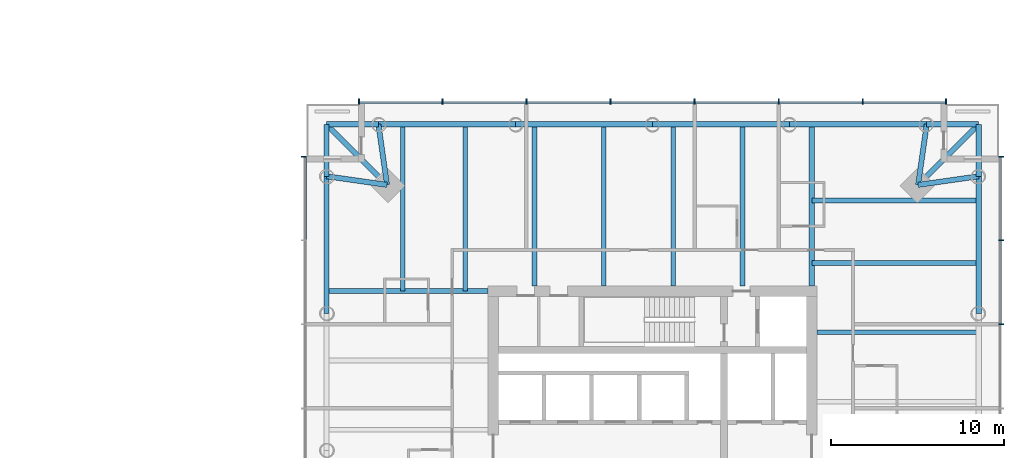
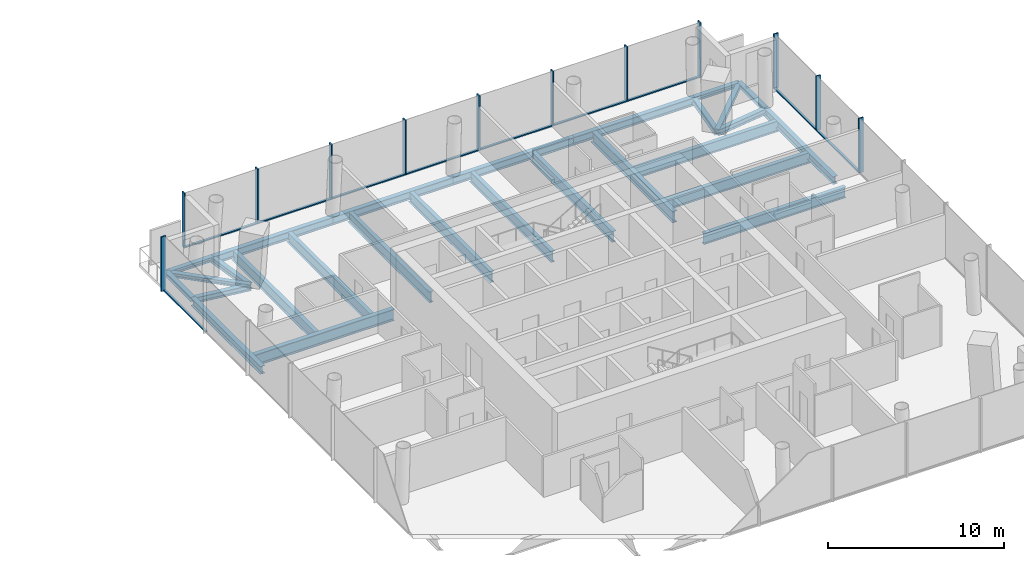
# One storey, part 6 of 19: 27 beams, 22 members, 3 elements without a shape of their own.
"""IFC4 building model written with IfcOpenShell, lengths in metres."""

import ifcopenshell
import ifcopenshell.guid

model = None  # the IFC model being written
_history = None  # IfcOwnerHistory: only IFC2X3 demands one
_inside = {}  # id of a spatial element -> (the spatial element, [elements in it])
_under = {}  # id of a project, library or spatial element -> (it, [spatial elements below it])
_declared = {}  # id of a project -> (the project, [libraries it declares])
_typed = {}  # id of a type object -> (the type object, [elements of that type])
_made_of = {}  # id of a material, layer set ... -> (it, [elements and type objects made of it])


def new_model(schema):
    """Start an empty IFC model of exactly this schema.

    Asked for "IFC4X3", IfcOpenShell would pick the latest addendum, in which some entities
    have other attributes; the version numbers below select the first issue.
    IFC2X3 requires an IfcOwnerHistory on every rooted entity: one is made here for all.
    """
    global model, _history
    if schema == "IFC4X3":
        model = ifcopenshell.file(schema_version=(4, 3, 0, 0))
    else:
        model = ifcopenshell.file(schema=schema)
    _inside.clear()
    _under.clear()
    _declared.clear()
    _typed.clear()
    _made_of.clear()
    _history = None
    if model.schema == "IFC2X3":
        org = make("IfcOrganization", Name="unknown")
        user = make(
            "IfcPersonAndOrganization",
            ThePerson=make("IfcPerson", FamilyName="unknown"),
            TheOrganization=org,
        )
        app = make(
            "IfcApplication",
            ApplicationDeveloper=org,
            Version="unknown",
            ApplicationFullName="unknown",
            ApplicationIdentifier="unknown",
        )
        _history = make(
            "IfcOwnerHistory",
            OwningUser=user,
            OwningApplication=app,
            ChangeAction="ADDED",
            CreationDate=0,
        )
    return model


def make(cls, **values):
    """One entity of the class cls with the attributes given. An attribute that is None is left unset."""
    return model.create_entity(
        cls, **{name: value for name, value in values.items() if value is not None}
    )


def rooted(cls, **values):
    """An entity with a GlobalId (a new one), such as an element, a storey or a relation."""
    return make(cls, GlobalId=ifcopenshell.guid.new(), OwnerHistory=_history, **values)


def si_unit(unit_type, name, prefix=None):
    """IfcSIUnit, for example si_unit("LENGTHUNIT", "METRE", prefix="MILLI")."""
    return make("IfcSIUnit", UnitType=unit_type, Prefix=prefix, Name=name)


def assignment(units):
    """IfcUnitAssignment: the units of a project."""
    return None if units is None else make("IfcUnitAssignment", Units=units)


def point(xyz):
    """IfcCartesianPoint."""
    return None if xyz is None else make("IfcCartesianPoint", Coordinates=xyz)


def direction(xyz):
    """IfcDirection."""
    return None if xyz is None else make("IfcDirection", DirectionRatios=xyz)


def frame(location, z_axis=None, x_axis=None):
    """IfcAxis2Placement3D, a coordinate frame: its origin and axes. An axis left out is left unset."""
    return make(
        "IfcAxis2Placement3D",
        Location=point(location),
        Axis=direction(z_axis),
        RefDirection=direction(x_axis),
    )


def frame_2d(location, x_axis=None):
    """IfcAxis2Placement2D, a coordinate frame in the plane: its origin and x axis."""
    return make(
        "IfcAxis2Placement2D", Location=point(location), RefDirection=direction(x_axis)
    )


def origin():
    """The frame at (0, 0, 0) with its axes left unset."""
    return frame((0.0, 0.0, 0.0))


def origin_2d():
    """The frame at (0, 0) in the plane with its x axis left unset."""
    return frame_2d((0.0, 0.0))


def place(relative_to, where):
    """IfcLocalPlacement: puts the frame where relative to a parent placement (None: the world)."""
    return make(
        "IfcLocalPlacement", PlacementRelTo=relative_to, RelativePlacement=where
    )


def context(
    kind, dimensions, precision=None, world=None, true_north=None, identifier=None
):
    """IfcGeometricRepresentationContext, for example the 3D "Model" context."""
    return make(
        "IfcGeometricRepresentationContext",
        ContextIdentifier=identifier,
        ContextType=kind,
        CoordinateSpaceDimension=dimensions,
        Precision=precision,
        WorldCoordinateSystem=world,
        TrueNorth=true_north,
    )


def subcontext(parent, identifier, kind, view, scale=None):
    """IfcGeometricRepresentationSubContext, for example "Body" below "Model"."""
    return make(
        "IfcGeometricRepresentationSubContext",
        ContextIdentifier=identifier,
        ContextType=kind,
        ParentContext=parent,
        TargetScale=scale,
        TargetView=view,
    )


def project(units=None, contexts=None):
    """IfcProject with its units and contexts."""
    return rooted(
        "IfcProject",
        Name="project",
        RepresentationContexts=contexts,
        UnitsInContext=assignment(units),
    )


def spatial(cls, under=None, at=None, **own):
    """A site, building, storey or space (cls), placed at a placement, below another one or the project."""
    s = rooted(cls, ObjectPlacement=at, **own)
    if under is not None:
        _under.setdefault(under.id(), (under, []))[1].append(s)
    return s


def profile(cls, at=None, kind="AREA", **sizes):
    """A parametric profile (cls). Its sizes go by their IFC names, for example OverallWidth=200.0."""
    return make(cls, ProfileType=kind, Position=at, **sizes)


def rectangle(**sizes):
    """IfcRectangleProfileDef."""
    return profile("IfcRectangleProfileDef", **sizes)


def i_section(**sizes):
    """IfcIShapeProfileDef."""
    return profile("IfcIShapeProfileDef", **sizes)


def extrude(swept, where, along, depth):
    """IfcExtrudedAreaSolid: the profile swept, set in the frame where, extruded along a direction by depth."""
    return make(
        "IfcExtrudedAreaSolid",
        SweptArea=swept,
        Position=where,
        ExtrudedDirection=direction(along),
        Depth=depth,
    )


def shape(context_of_items, identifier, shape_type, items):
    """IfcShapeRepresentation: the items that make up one representation, for example the "Body"."""
    return make(
        "IfcShapeRepresentation",
        ContextOfItems=context_of_items,
        RepresentationIdentifier=identifier,
        RepresentationType=shape_type,
        Items=items,
    )


def material(Name=None, Category=None):
    """IfcMaterial."""
    return make("IfcMaterial", Name=Name, Category=Category)


def material_profile(
    of_material, cross_section, Name=None, Category=None, Priority=None
):
    """IfcMaterialProfile: a cross section and its material."""
    return make(
        "IfcMaterialProfile",
        Name=Name,
        Material=of_material,
        Profile=cross_section,
        Priority=Priority,
        Category=Category,
    )


def profile_set(profiles, Name=None, composite=None):
    """IfcMaterialProfileSet."""
    return make(
        "IfcMaterialProfileSet",
        Name=Name,
        MaterialProfiles=profiles,
        CompositeProfile=composite,
    )


def made_of(thing, what):
    """Note that an element or type object is made of a material, layer set ...; save() writes the relation."""
    if what is not None:
        _made_of.setdefault(what.id(), (what, []))[1].append(thing)
    return thing


def type_object(cls, material=None, **own):
    """A type object (cls), such as IfcWallType, which elements share."""
    return made_of(rooted(cls, **own), material)


def element(
    cls,
    number,
    at=None,
    inside=None,
    cuts=None,
    type_object=None,
    material=None,
    context=None,
    identifier="Body",
    shape_type=None,
    held_by="IfcProductDefinitionShape",
    body=None,
    shapes=None,
    **own,
):
    """One element of the class cls, such as IfcWall. Its Tag is "e" and its number.

    at: its placement. inside: the storey or other place that contains it. cuts: it is an
    opening in that element (IfcRelVoidsElement). A single representation is given by context,
    identifier, shape_type and body (its items); several are given by shapes. held_by: the class
    of the entity that holds the representations. save() writes the other relations.
    """
    e = rooted(cls, Tag="e%d" % number, ObjectPlacement=at, **own)
    if body is not None:
        shapes = [shape(context, identifier, shape_type, body)]
    if shapes is not None:
        e.Representation = make(held_by, Representations=shapes)
    if inside is not None:
        _inside.setdefault(inside.id(), (inside, []))[1].append(e)
    if cuts is not None:
        rooted(
            "IfcRelVoidsElement", RelatingBuildingElement=cuts, RelatedOpeningElement=e
        )
    if type_object is not None:
        _typed.setdefault(type_object.id(), (type_object, []))[1].append(e)
    return made_of(e, material)


def aggregate(whole, parts):
    """IfcRelAggregates: a whole, such as a stair, and the parts it consists of."""
    return rooted("IfcRelAggregates", RelatingObject=whole, RelatedObjects=parts)


def save(model, path):
    """Write the relations noted so far, then the file.

    IfcRelAggregates (storeys below a building ...), IfcRelContainedInSpatialStructure (elements
    in a storey), IfcRelDefinesByType, IfcRelAssociatesMaterial and IfcRelDeclares: one each for
    every whole, place, type object, material and project.
    """
    for whole, parts in _under.values():
        aggregate(whole, parts)
    for where, things in _inside.values():
        rooted(
            "IfcRelContainedInSpatialStructure",
            RelatedElements=things,
            RelatingStructure=where,
        )
    for kind, things in _typed.values():
        rooted("IfcRelDefinesByType", RelatedObjects=things, RelatingType=kind)
    for what, things in _made_of.values():
        rooted("IfcRelAssociatesMaterial", RelatedObjects=things, RelatingMaterial=what)
    for by, libraries in _declared.values():
        rooted("IfcRelDeclares", RelatingContext=by, RelatedDefinitions=libraries)
    model.write(path)


model = new_model("IFC4")

# Units and contexts
model_context = context("Model", 3, precision=1e-05, world=origin(), true_north=direction((0.0, 1.0)))
body_context = subcontext(model_context, "Body", "Model", "MODEL_VIEW")
ifc_project = project(units=[si_unit("LENGTHUNIT", "METRE"), si_unit("AREAUNIT", "SQUARE_METRE"), si_unit("VOLUMEUNIT", "CUBIC_METRE"), si_unit("PLANEANGLEUNIT", "RADIAN"), si_unit("MASSUNIT", "GRAM", prefix="KILO")], contexts=[model_context])

# Site, building, storey
site_placement = place(None, origin())
site = spatial("IfcSite", under=ifc_project, at=site_placement, CompositionType="ELEMENT")
building_placement = place(site_placement, origin())
building = spatial("IfcBuilding", under=site, at=building_placement, Name="Ostroluk Exchange", CompositionType="ELEMENT")
storey_placement = place(building_placement, frame((0.0, 0.0, 24.800048828125)))
storey = spatial("IfcBuildingStorey", under=building, at=storey_placement, Name="L05", CompositionType="ELEMENT", Elevation=24.800048828125)

# Beams
ifc_material_1 = material(Name="Steel S355", Category="steel")
ifc_material_profile_1 = material_profile(ifc_material_1, i_section(OverallWidth=0.300048828125, OverallDepth=0.300048828125, WebThickness=0.010986328125, FlangeThickness=0.01904296875, FilletRadius=0.027099609375, at=origin_2d()), Name="HEB 300")
ifc_profile_set_1 = profile_set([ifc_material_profile_1], Name="Steel S355")
beam_type_1 = type_object("IfcBeamType", Name="Balcony beam HEB 300", PredefinedType="BEAM", material=ifc_profile_set_1)
for number, where, z_axis, x_axis, name in (
    (1, (135.836181640625, 61.836181640625, -0.35009765625), (0.0, 1.0, 0.0), (-1.0, 0.0, 0.0), "T2 east balcony beam a"),
    (2, (132.836181640625, 64.836181640625, -0.35009765625), (1.0, 0.0, 0.0), (0.0, 1.0, 0.0), "T2 east balcony beam b"),
):
    element("IfcBeam", number, at=place(storey_placement, frame(where, z_axis=z_axis, x_axis=x_axis)), inside=storey, type_object=beam_type_1, Name=name, PredefinedType="BEAM", context=body_context, shape_type="SweptSolid", body=[
        extrude(i_section(OverallWidth=0.300048828125, OverallDepth=0.300048828125, WebThickness=0.010986328125, FlangeThickness=0.01904296875, FilletRadius=0.027099609375, at=origin_2d()), origin(), (0.0, 0.0, 1.0), 3.0),
    ])
beam_1_placement = place(storey_placement, frame((132.336181640625, 61.336181640625, -0.35009765625), z_axis=(0.707106781187, 0.707106781187, 0.0), x_axis=(-0.707106781187, 0.707106781187, 0.0)))
element("IfcBeam", 3, at=beam_1_placement, inside=storey, type_object=beam_type_1, Name="T2 east balcony beam c", PredefinedType="BEAM", context=body_context, shape_type="SweptSolid", body=[
    extrude(i_section(OverallWidth=0.300048828125, OverallDepth=0.300048828125, WebThickness=0.010986328125, FlangeThickness=0.01904296875, FilletRadius=0.027099609375, at=origin_2d()), origin(), (0.0, 0.0, 1.0), 4.94970703125),
])
for number, where, z_axis, x_axis, name in (
    (4, (101.163818359375, 64.836181640625, -0.35009765625), (-1.0, 0.0, 0.0), (0.0, -1.0, 0.0), "T2 north balcony beam a"),
    (5, (98.163818359375, 61.836181640625, -0.35009765625), (0.0, 1.0, 0.0), (-1.0, 0.0, 0.0), "T2 north balcony beam b"),
):
    element("IfcBeam", number, at=place(storey_placement, frame(where, z_axis=z_axis, x_axis=x_axis)), inside=storey, type_object=beam_type_1, Name=name, PredefinedType="BEAM", context=body_context, shape_type="SweptSolid", body=[
        extrude(i_section(OverallWidth=0.300048828125, OverallDepth=0.300048828125, WebThickness=0.010986328125, FlangeThickness=0.01904296875, FilletRadius=0.027099609375, at=origin_2d()), origin(), (0.0, 0.0, 1.0), 3.0),
    ])
beam_2_placement = place(storey_placement, frame((101.663818359375, 61.336181640625, -0.35009765625), z_axis=(-0.707106781187, 0.707106781187, 0.0), x_axis=(-0.707106781187, -0.707106781187, 0.0)))
element("IfcBeam", 6, at=beam_2_placement, inside=storey, type_object=beam_type_1, Name="T2 north balcony beam c", PredefinedType="BEAM", context=body_context, shape_type="SweptSolid", body=[
    extrude(i_section(OverallWidth=0.300048828125, OverallDepth=0.300048828125, WebThickness=0.010986328125, FlangeThickness=0.01904296875, FilletRadius=0.027099609375, at=origin_2d()), origin(), (0.0, 0.0, 1.0), 4.94970703125),
])
ifc_material_2 = material(Name="Steel S355", Category="steel")
ifc_material_profile_2 = material_profile(ifc_material_2, i_section(OverallWidth=0.300048828125, OverallDepth=0.39990234375, WebThickness=0.013427734375, FlangeThickness=0.02392578125, FilletRadius=0.027099609375, at=origin_2d()), Name="HEB 400")
ifc_profile_set_2 = profile_set([ifc_material_profile_2], Name="Steel S355")
beam_type_2 = type_object("IfcBeamType", Name="Corner edge beam HEB 400", PredefinedType="SPANDREL", material=ifc_profile_set_2)
for number, where, z_axis, x_axis, name in (
    (7, (132.336181640625, 61.336181640625, -0.400146484375), (0.989949493661, 0.141421356237, 0.0), (-0.141421356237, 0.989949493661, 0.0), "T2 east corner edge beam a"),
    (8, (132.336181640625, 61.336181640625, -0.400146484375), (0.141421356237, 0.989949493661, 0.0), (-0.989949493661, 0.141421356237, 0.0), "T2 east corner edge beam b"),
    (9, (101.663818359375, 61.336181640625, -0.400146484375), (-0.141421356237, 0.989949493661, 0.0), (-0.989949493661, -0.141421356237, 0.0), "T2 north corner edge beam a"),
    (10, (101.663818359375, 61.336181640625, -0.400146484375), (-0.989949493661, 0.141421356237, 0.0), (-0.141421356237, -0.989949493661, 0.0), "T2 north corner edge beam b"),
):
    element("IfcBeam", number, at=place(storey_placement, frame(where, z_axis=z_axis, x_axis=x_axis)), inside=storey, type_object=beam_type_2, Name=name, PredefinedType="SPANDREL", context=body_context, shape_type="SweptSolid", body=[
        extrude(i_section(OverallWidth=0.300048828125, OverallDepth=0.39990234375, WebThickness=0.013427734375, FlangeThickness=0.02392578125, FilletRadius=0.027099609375, at=origin_2d()), origin(), (0.0, 0.0, 1.0), 3.53564453125),
    ])
ifc_material_3 = material(Name="Steel S355", Category="steel")
ifc_material_profile_3 = material_profile(ifc_material_3, i_section(OverallWidth=0.264892578125, OverallDepth=0.7529296875, WebThickness=0.01318359375, FlangeThickness=0.01708984375, FilletRadius=0.01708984375, at=origin_2d()), Name="IPE 750x147")
ifc_profile_set_3 = profile_set([ifc_material_profile_3], Name="Steel S355")
beam_type_3 = type_object("IfcBeamType", Name="Floor beam IPE 750x147", PredefinedType="BEAM", material=ifc_profile_set_3)
beam_3_placement = place(storey_placement, frame((126.5, 52.82080078125, -0.57666015625), z_axis=(1.0, 0.0, 0.0), x_axis=(0.0, 1.0, 0.0)))
element("IfcBeam", 11, at=beam_3_placement, inside=storey, type_object=beam_type_3, Name="T2 east floor beam 4", PredefinedType="BEAM", context=body_context, shape_type="SweptSolid", body=[
    extrude(i_section(OverallWidth=0.264892578125, OverallDepth=0.7529296875, WebThickness=0.01318359375, FlangeThickness=0.01708984375, FilletRadius=0.01708984375, at=origin_2d()), origin(), (0.0, 0.0, 1.0), 9.336181640625),
])
for number, where, z_axis, x_axis, name in (
    (12, (126.199951171875, 56.825927734375, -0.57666015625), (1.0, 0.0, 0.0), (0.0, 1.0, 0.0), "T2 east floor beam 5"),
    (13, (126.199951171875, 60.436279296875, -0.57666015625), (1.0, 0.0, 0.0), (0.0, 1.0, 0.0), "T2 east floor beam 6"),
):
    element("IfcBeam", number, at=place(storey_placement, frame(where, z_axis=z_axis, x_axis=x_axis)), inside=storey, type_object=beam_type_3, Name=name, PredefinedType="BEAM", context=body_context, shape_type="SweptSolid", body=[
        extrude(i_section(OverallWidth=0.264892578125, OverallDepth=0.7529296875, WebThickness=0.01318359375, FlangeThickness=0.01708984375, FilletRadius=0.01708984375, at=origin_2d()), origin(), (0.0, 0.0, 1.0), 9.63623046875),
    ])
for number, where, z_axis, x_axis, name in (
    (14, (122.19482421875, 55.5, -0.57666015625), (0.0, 1.0, 0.0), (-1.0, 0.0, 0.0), "T2 north floor beam 1"),
    (15, (118.189697265625, 55.5, -0.57666015625), (0.0, 1.0, 0.0), (-1.0, 0.0, 0.0), "T2 north floor beam 2"),
    (16, (114.1845703125, 55.5, -0.57666015625), (0.0, 1.0, 0.0), (-1.0, 0.0, 0.0), "T2 north floor beam 3"),
    (17, (110.17919921875, 55.5, -0.57666015625), (0.0, 1.0, 0.0), (-1.0, 0.0, 0.0), "T2 north floor beam 4"),
):
    element("IfcBeam", number, at=place(storey_placement, frame(where, z_axis=z_axis, x_axis=x_axis)), inside=storey, type_object=beam_type_3, Name=name, PredefinedType="BEAM", context=body_context, shape_type="SweptSolid", body=[
        extrude(i_section(OverallWidth=0.264892578125, OverallDepth=0.7529296875, WebThickness=0.01318359375, FlangeThickness=0.01708984375, FilletRadius=0.01708984375, at=origin_2d()), origin(), (0.0, 0.0, 1.0), 9.336181640625),
    ])
for number, where, z_axis, x_axis, name in (
    (18, (106.174072265625, 55.199951171875, -0.57666015625), (0.0, 1.0, 0.0), (-1.0, 0.0, 0.0), "T2 north floor beam 5"),
    (19, (102.563720703125, 55.199951171875, -0.57666015625), (0.0, 1.0, 0.0), (-1.0, 0.0, 0.0), "T2 north floor beam 6"),
):
    element("IfcBeam", number, at=place(storey_placement, frame(where, z_axis=z_axis, x_axis=x_axis)), inside=storey, type_object=beam_type_3, Name=name, PredefinedType="BEAM", context=body_context, shape_type="SweptSolid", body=[
        extrude(i_section(OverallWidth=0.264892578125, OverallDepth=0.7529296875, WebThickness=0.01318359375, FlangeThickness=0.01708984375, FilletRadius=0.01708984375, at=origin_2d()), origin(), (0.0, 0.0, 1.0), 9.63623046875),
    ])
ifc_material_4 = material(Name="Steel S355", Category="steel")
ifc_material_profile_4 = material_profile(ifc_material_4, i_section(OverallWidth=0.300048828125, OverallDepth=0.800048828125, WebThickness=0.017578125, FlangeThickness=0.032958984375, FilletRadius=0.030029296875, at=origin_2d()), Name="HEB 800")
ifc_profile_set_4 = profile_set([ifc_material_profile_4], Name="Steel S355")
beam_type_4 = type_object("IfcBeamType", Name="Girder HEB 800", PredefinedType="BEAM", material=ifc_profile_set_4)
for number, where, z_axis, x_axis, name in (
    (20, (126.199951171875, 55.5, -0.60009765625), (0.0, 1.0, 0.0), (-1.0, 0.0, 0.0), "T2 east girder"),
    (21, (107.5, 55.199951171875, -0.60009765625), (-1.0, 0.0, 0.0), (0.0, -1.0, 0.0), "T2 north girder"),
):
    element("IfcBeam", number, at=place(storey_placement, frame(where, z_axis=z_axis, x_axis=x_axis)), inside=storey, type_object=beam_type_4, Name=name, PredefinedType="BEAM", context=body_context, shape_type="SweptSolid", body=[
        extrude(i_section(OverallWidth=0.300048828125, OverallDepth=0.800048828125, WebThickness=0.017578125, FlangeThickness=0.032958984375, FilletRadius=0.030029296875, at=origin_2d()), origin(), (0.0, 0.0, 1.0), 9.336181640625),
    ])
ifc_material_5 = material(Name="Steel S355", Category="steel")
ifc_material_profile_5 = material_profile(ifc_material_5, i_section(OverallWidth=0.300048828125, OverallDepth=0.550048828125, WebThickness=0.014892578125, FlangeThickness=0.029052734375, FilletRadius=0.027099609375, at=origin_2d()), Name="HEB 550")
ifc_profile_set_5 = profile_set([ifc_material_profile_5], Name="Steel S355")
beam_type_5 = type_object("IfcBeamType", Name="Moment-connected edge beam HEB 550", PredefinedType="SPANDREL", material=ifc_profile_set_5)
for number, where, z_axis, x_axis, name in (
    (22, (135.836181640625, 53.918212890625, -0.47509765625), (0.0, 1.0, 0.0), (-1.0, 0.0, 0.0), "T2 east edge beam 4"),
    (23, (132.836181640625, 64.836181640625, -0.47509765625), (-1.0, 0.0, 0.0), (0.0, -1.0, 0.0), "T2 north edge beam 1"),
):
    element("IfcBeam", number, at=place(storey_placement, frame(where, z_axis=z_axis, x_axis=x_axis)), inside=storey, type_object=beam_type_5, Name=name, PredefinedType="SPANDREL", context=body_context, shape_type="SweptSolid", body=[
        extrude(i_section(OverallWidth=0.300048828125, OverallDepth=0.550048828125, WebThickness=0.014892578125, FlangeThickness=0.029052734375, FilletRadius=0.027099609375, at=origin_2d()), origin(), (0.0, 0.0, 1.0), 7.91796875),
    ])
for number, where, z_axis, x_axis, name in (
    (24, (124.918212890625, 64.836181640625, -0.47509765625), (-1.0, 0.0, 0.0), (0.0, -1.0, 0.0), "T2 north edge beam 2"),
    (25, (117.0, 64.836181640625, -0.47509765625), (-1.0, 0.0, 0.0), (0.0, -1.0, 0.0), "T2 north edge beam 3"),
):
    element("IfcBeam", number, at=place(storey_placement, frame(where, z_axis=z_axis, x_axis=x_axis)), inside=storey, type_object=beam_type_5, Name=name, PredefinedType="SPANDREL", context=body_context, shape_type="SweptSolid", body=[
        extrude(i_section(OverallWidth=0.300048828125, OverallDepth=0.550048828125, WebThickness=0.014892578125, FlangeThickness=0.029052734375, FilletRadius=0.027099609375, at=origin_2d()), origin(), (0.0, 0.0, 1.0), 7.918212890625),
    ])
for number, where, z_axis, x_axis, name in (
    (26, (109.081787109375, 64.836181640625, -0.47509765625), (-1.0, 0.0, 0.0), (0.0, -1.0, 0.0), "T2 north edge beam 4"),
    (27, (98.163818359375, 61.836181640625, -0.47509765625), (0.0, -1.0, 0.0), (1.0, 0.0, 0.0), "T2 west edge beam 1"),
):
    element("IfcBeam", number, at=place(storey_placement, frame(where, z_axis=z_axis, x_axis=x_axis)), inside=storey, type_object=beam_type_5, Name=name, PredefinedType="SPANDREL", context=body_context, shape_type="SweptSolid", body=[
        extrude(i_section(OverallWidth=0.300048828125, OverallDepth=0.550048828125, WebThickness=0.014892578125, FlangeThickness=0.029052734375, FilletRadius=0.027099609375, at=origin_2d()), origin(), (0.0, 0.0, 1.0), 7.91796875),
    ])

# Curtain wall, members
ifc_material_6 = material(Name="Laminated clear glass", Category="glass")
curtain_wall_type = type_object("IfcCurtainWallType", Name="Hotel guest floor facade", PredefinedType="USERDEFINED", material=ifc_material_6)
curtain_wall_1_placement = place(storey_placement, origin())
curtain_wall_1 = element("IfcCurtainWall", 28, at=curtain_wall_1_placement, inside=storey, type_object=curtain_wall_type, Name="Hotel tower east facade L05", ObjectType="UNITISED CURTAIN WALL", PredefinedType="USERDEFINED")
ifc_material_7 = material(Name="Aluminium mullion", Category="aluminium")
ifc_material_profile_6 = material_profile(ifc_material_7, rectangle(XDim=0.14990234375, YDim=0.080078125, at=origin_2d()), Name="Sill transom 80 x 150")
ifc_profile_set_6 = profile_set([ifc_material_profile_6], Name="Aluminium mullion")
member_type_1 = type_object("IfcMemberType", Name="Sill transom 80 x 150", PredefinedType="USERDEFINED", material=ifc_profile_set_6)
member_1_placement = place(storey_placement, frame((137.074951171875, 53.32568359375, 0.0400390625), z_axis=(0.0, 1.0, 0.0), x_axis=(-1.0, 0.0, 0.0)))
member_1 = element("IfcMember", 29, at=member_1_placement, type_object=member_type_1, Name="CW-H1 transom 6.1", ObjectType="TRANSOM", PredefinedType="USERDEFINED", context=body_context, shape_type="SweptSolid", body=[
    extrude(rectangle(XDim=0.14990234375, YDim=0.080078125, at=origin_2d()), origin(), (0.0, 0.0, 1.0), 4.777099609375),
])
member_2_placement = place(storey_placement, frame((137.074951171875, 58.182861328125, 0.0400390625), z_axis=(0.0, 1.0, 0.0), x_axis=(-1.0, 0.0, 0.0)))
member_2 = element("IfcMember", 30, at=member_2_placement, type_object=member_type_1, Name="CW-H1 transom 7.1", ObjectType="TRANSOM", PredefinedType="USERDEFINED", context=body_context, shape_type="SweptSolid", body=[
    extrude(rectangle(XDim=0.14990234375, YDim=0.080078125, at=origin_2d()), origin(), (0.0, 0.0, 1.0), 4.737060546875),
])

curtain_wall_2_placement = place(storey_placement, origin())
curtain_wall_2 = element("IfcCurtainWall", 31, at=curtain_wall_2_placement, inside=storey, type_object=curtain_wall_type, Name="Hotel tower north facade L05", ObjectType="UNITISED CURTAIN WALL", PredefinedType="USERDEFINED")
member_3_placement = place(storey_placement, frame((133.919921875, 66.074951171875, 0.0400390625), z_axis=(-1.0, 0.0, 0.0), x_axis=(0.0, -1.0, 0.0)))
member_3 = element("IfcMember", 32, at=member_3_placement, type_object=member_type_1, Name="CW-H1 transom 1.1", ObjectType="TRANSOM", PredefinedType="USERDEFINED", context=body_context, shape_type="SweptSolid", body=[
    extrude(rectangle(XDim=0.14990234375, YDim=0.080078125, at=origin_2d()), origin(), (0.0, 0.0, 1.0), 4.737060546875),
])
member_4_placement = place(storey_placement, frame((129.102783203125, 66.074951171875, 0.0400390625), z_axis=(-1.0, 0.0, 0.0), x_axis=(0.0, -1.0, 0.0)))
member_4 = element("IfcMember", 33, at=member_4_placement, type_object=member_type_1, Name="CW-H1 transom 2.1", ObjectType="TRANSOM", PredefinedType="USERDEFINED", context=body_context, shape_type="SweptSolid", body=[
    extrude(rectangle(XDim=0.14990234375, YDim=0.080078125, at=origin_2d()), origin(), (0.0, 0.0, 1.0), 4.777099609375),
])
member_5_placement = place(storey_placement, frame((124.24560546875, 66.074951171875, 0.0400390625), z_axis=(-1.0, 0.0, 0.0), x_axis=(0.0, -1.0, 0.0)))
member_5 = element("IfcMember", 34, at=member_5_placement, type_object=member_type_1, Name="CW-H1 transom 3.1", ObjectType="TRANSOM", PredefinedType="USERDEFINED", context=body_context, shape_type="SweptSolid", body=[
    extrude(rectangle(XDim=0.14990234375, YDim=0.080078125, at=origin_2d()), origin(), (0.0, 0.0, 1.0), 4.777099609375),
])
member_6_placement = place(storey_placement, frame((119.388671875, 66.074951171875, 0.0400390625), z_axis=(-1.0, 0.0, 0.0), x_axis=(0.0, -1.0, 0.0)))
member_6 = element("IfcMember", 35, at=member_6_placement, type_object=member_type_1, Name="CW-H1 transom 4.1", ObjectType="TRANSOM", PredefinedType="USERDEFINED", context=body_context, shape_type="SweptSolid", body=[
    extrude(rectangle(XDim=0.14990234375, YDim=0.080078125, at=origin_2d()), origin(), (0.0, 0.0, 1.0), 4.77734375),
])
member_7_placement = place(storey_placement, frame((114.531494140625, 66.074951171875, 0.0400390625), z_axis=(-1.0, 0.0, 0.0), x_axis=(0.0, -1.0, 0.0)))
member_7 = element("IfcMember", 36, at=member_7_placement, type_object=member_type_1, Name="CW-H1 transom 5.1", ObjectType="TRANSOM", PredefinedType="USERDEFINED", context=body_context, shape_type="SweptSolid", body=[
    extrude(rectangle(XDim=0.14990234375, YDim=0.080078125, at=origin_2d()), origin(), (0.0, 0.0, 1.0), 4.777099609375),
])
member_8_placement = place(storey_placement, frame((109.67431640625, 66.074951171875, 0.0400390625), z_axis=(-1.0, 0.0, 0.0), x_axis=(0.0, -1.0, 0.0)))
member_8 = element("IfcMember", 37, at=member_8_placement, type_object=member_type_1, Name="CW-H1 transom 6.1", ObjectType="TRANSOM", PredefinedType="USERDEFINED", context=body_context, shape_type="SweptSolid", body=[
    extrude(rectangle(XDim=0.14990234375, YDim=0.080078125, at=origin_2d()), origin(), (0.0, 0.0, 1.0), 4.777099609375),
])
member_9_placement = place(storey_placement, frame((104.817138671875, 66.074951171875, 0.0400390625), z_axis=(-1.0, 0.0, 0.0), x_axis=(0.0, -1.0, 0.0)))
member_9 = element("IfcMember", 38, at=member_9_placement, type_object=member_type_1, Name="CW-H1 transom 7.1", ObjectType="TRANSOM", PredefinedType="USERDEFINED", context=body_context, shape_type="SweptSolid", body=[
    extrude(rectangle(XDim=0.14990234375, YDim=0.080078125, at=origin_2d()), origin(), (0.0, 0.0, 1.0), 4.737060546875),
])

# Curtain wall, member
curtain_wall_3_placement = place(storey_placement, origin())
curtain_wall_3 = element("IfcCurtainWall", 39, at=curtain_wall_3_placement, inside=storey, type_object=curtain_wall_type, Name="Hotel tower west facade L05", ObjectType="UNITISED CURTAIN WALL", PredefinedType="USERDEFINED")
member_10_placement = place(storey_placement, frame((96.925048828125, 62.919921875, 0.0400390625), z_axis=(0.0, -1.0, 0.0), x_axis=(1.0, 0.0, 0.0)))
member_10 = element("IfcMember", 40, at=member_10_placement, type_object=member_type_1, Name="CW-H1 transom 1.1", ObjectType="TRANSOM", PredefinedType="USERDEFINED", context=body_context, shape_type="SweptSolid", body=[
    extrude(rectangle(XDim=0.14990234375, YDim=0.080078125, at=origin_2d()), origin(), (0.0, 0.0, 1.0), 4.737060546875),
])

# Member
ifc_material_8 = material(Name="Aluminium mullion with limestone facing", Category="masonry")
ifc_material_profile_7 = material_profile(ifc_material_8, rectangle(XDim=0.300048828125, YDim=0.080078125, at=origin_2d()), Name="Tracery mullion 80 x 300")
ifc_profile_set_7 = profile_set([ifc_material_profile_7], Name="Aluminium mullion with limestone facing")
member_type_2 = type_object("IfcMemberType", Name="Tracery mullion 80 x 300", PredefinedType="MULLION", material=ifc_profile_set_7)
member_11_placement = place(storey_placement, frame((137.14990234375, 53.28564453125, 0.0), z_axis=(0.0, 0.0, 1.0), x_axis=(-1.0, 0.0, 0.0)))
member_11 = element("IfcMember", 41, at=member_11_placement, type_object=member_type_2, Name="CW-H1 mullion 6", PredefinedType="MULLION", context=body_context, shape_type="SweptSolid", body=[
    extrude(rectangle(XDim=0.300048828125, YDim=0.080078125, at=origin_2d()), origin(), (0.0, 0.0, 1.0), 3.800048828125),
])

member_12_placement = place(storey_placement, frame((137.14990234375, 58.142822265625, 0.0), z_axis=(0.0, 0.0, 1.0), x_axis=(-1.0, 0.0, 0.0)))
member_12 = element("IfcMember", 42, at=member_12_placement, type_object=member_type_2, Name="CW-H1 mullion 7", PredefinedType="MULLION", context=body_context, shape_type="SweptSolid", body=[
    extrude(rectangle(XDim=0.300048828125, YDim=0.080078125, at=origin_2d()), origin(), (0.0, 0.0, 1.0), 3.800048828125),
])

member_13_placement = place(storey_placement, frame((137.14990234375, 62.9599609375, 0.0), z_axis=(0.0, 0.0, 1.0), x_axis=(-1.0, 0.0, 0.0)))
member_13 = element("IfcMember", 43, at=member_13_placement, type_object=member_type_2, Name="CW-H1 mullion 8", PredefinedType="MULLION", context=body_context, shape_type="SweptSolid", body=[
    extrude(rectangle(XDim=0.300048828125, YDim=0.080078125, at=origin_2d()), origin(), (0.0, 0.0, 1.0), 3.800048828125),
])

aggregate(curtain_wall_1, [member_11, member_12, member_13, member_1, member_2])

member_14_placement = place(storey_placement, frame((133.9599609375, 66.14990234375, 0.0), z_axis=(0.0, 0.0, 1.0), x_axis=(0.0, -1.0, 0.0)))
member_14 = element("IfcMember", 44, at=member_14_placement, type_object=member_type_2, Name="CW-H1 mullion 1", PredefinedType="MULLION", context=body_context, shape_type="SweptSolid", body=[
    extrude(rectangle(XDim=0.300048828125, YDim=0.080078125, at=origin_2d()), origin(), (0.0, 0.0, 1.0), 3.800048828125),
])

member_15_placement = place(storey_placement, frame((129.142822265625, 66.14990234375, 0.0), z_axis=(0.0, 0.0, 1.0), x_axis=(0.0, -1.0, 0.0)))
member_15 = element("IfcMember", 45, at=member_15_placement, type_object=member_type_2, Name="CW-H1 mullion 2", PredefinedType="MULLION", context=body_context, shape_type="SweptSolid", body=[
    extrude(rectangle(XDim=0.300048828125, YDim=0.080078125, at=origin_2d()), origin(), (0.0, 0.0, 1.0), 3.800048828125),
])

member_16_placement = place(storey_placement, frame((124.28564453125, 66.14990234375, 0.0), z_axis=(0.0, 0.0, 1.0), x_axis=(0.0, -1.0, 0.0)))
member_16 = element("IfcMember", 46, at=member_16_placement, type_object=member_type_2, Name="CW-H1 mullion 3", PredefinedType="MULLION", context=body_context, shape_type="SweptSolid", body=[
    extrude(rectangle(XDim=0.300048828125, YDim=0.080078125, at=origin_2d()), origin(), (0.0, 0.0, 1.0), 3.800048828125),
])

member_17_placement = place(storey_placement, frame((119.428466796875, 66.14990234375, 0.0), z_axis=(0.0, 0.0, 1.0), x_axis=(0.0, -1.0, 0.0)))
member_17 = element("IfcMember", 47, at=member_17_placement, type_object=member_type_2, Name="CW-H1 mullion 4", PredefinedType="MULLION", context=body_context, shape_type="SweptSolid", body=[
    extrude(rectangle(XDim=0.300048828125, YDim=0.080078125, at=origin_2d()), origin(), (0.0, 0.0, 1.0), 3.800048828125),
])

member_18_placement = place(storey_placement, frame((114.571533203125, 66.14990234375, 0.0), z_axis=(0.0, 0.0, 1.0), x_axis=(0.0, -1.0, 0.0)))
member_18 = element("IfcMember", 48, at=member_18_placement, type_object=member_type_2, Name="CW-H1 mullion 5", PredefinedType="MULLION", context=body_context, shape_type="SweptSolid", body=[
    extrude(rectangle(XDim=0.300048828125, YDim=0.080078125, at=origin_2d()), origin(), (0.0, 0.0, 1.0), 3.800048828125),
])

member_19_placement = place(storey_placement, frame((109.71435546875, 66.14990234375, 0.0), z_axis=(0.0, 0.0, 1.0), x_axis=(0.0, -1.0, 0.0)))
member_19 = element("IfcMember", 49, at=member_19_placement, type_object=member_type_2, Name="CW-H1 mullion 6", PredefinedType="MULLION", context=body_context, shape_type="SweptSolid", body=[
    extrude(rectangle(XDim=0.300048828125, YDim=0.080078125, at=origin_2d()), origin(), (0.0, 0.0, 1.0), 3.800048828125),
])

member_20_placement = place(storey_placement, frame((104.857177734375, 66.14990234375, 0.0), z_axis=(0.0, 0.0, 1.0), x_axis=(0.0, -1.0, 0.0)))
member_20 = element("IfcMember", 50, at=member_20_placement, type_object=member_type_2, Name="CW-H1 mullion 7", PredefinedType="MULLION", context=body_context, shape_type="SweptSolid", body=[
    extrude(rectangle(XDim=0.300048828125, YDim=0.080078125, at=origin_2d()), origin(), (0.0, 0.0, 1.0), 3.800048828125),
])

member_21_placement = place(storey_placement, frame((100.0400390625, 66.14990234375, 0.0), z_axis=(0.0, 0.0, 1.0), x_axis=(0.0, -1.0, 0.0)))
member_21 = element("IfcMember", 51, at=member_21_placement, type_object=member_type_2, Name="CW-H1 mullion 8", PredefinedType="MULLION", context=body_context, shape_type="SweptSolid", body=[
    extrude(rectangle(XDim=0.300048828125, YDim=0.080078125, at=origin_2d()), origin(), (0.0, 0.0, 1.0), 3.800048828125),
])

aggregate(curtain_wall_2, [member_14, member_15, member_16, member_17, member_18, member_19, member_20, member_21, member_3, member_4, member_5, member_6, member_7, member_8, member_9])

member_22_placement = place(storey_placement, frame((96.85009765625, 62.9599609375, 0.0), z_axis=(0.0, 0.0, 1.0), x_axis=(1.0, 0.0, 0.0)))
member_22 = element("IfcMember", 52, at=member_22_placement, type_object=member_type_2, Name="CW-H1 mullion 1", PredefinedType="MULLION", context=body_context, shape_type="SweptSolid", body=[
    extrude(rectangle(XDim=0.300048828125, YDim=0.080078125, at=origin_2d()), origin(), (0.0, 0.0, 1.0), 3.800048828125),
])

aggregate(curtain_wall_3, [member_22, member_10])

save(model, "model.ifc")
